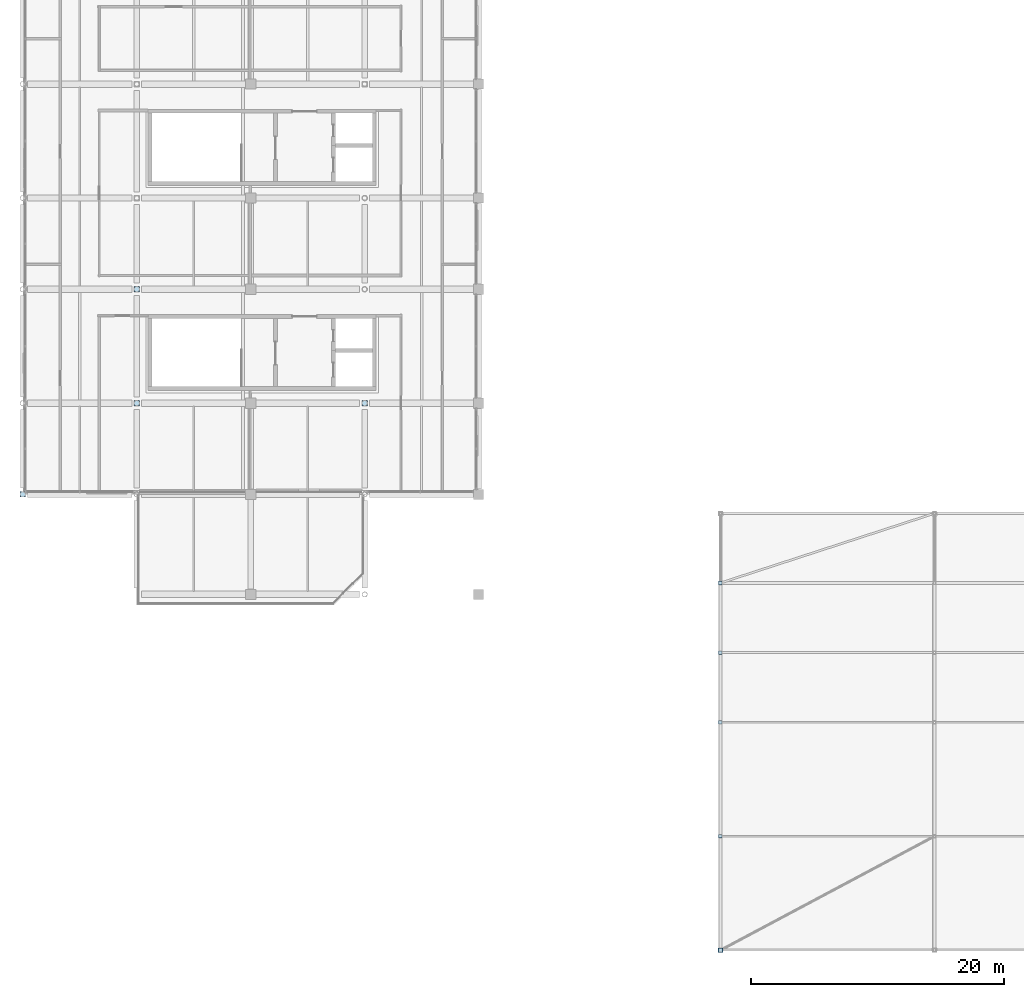
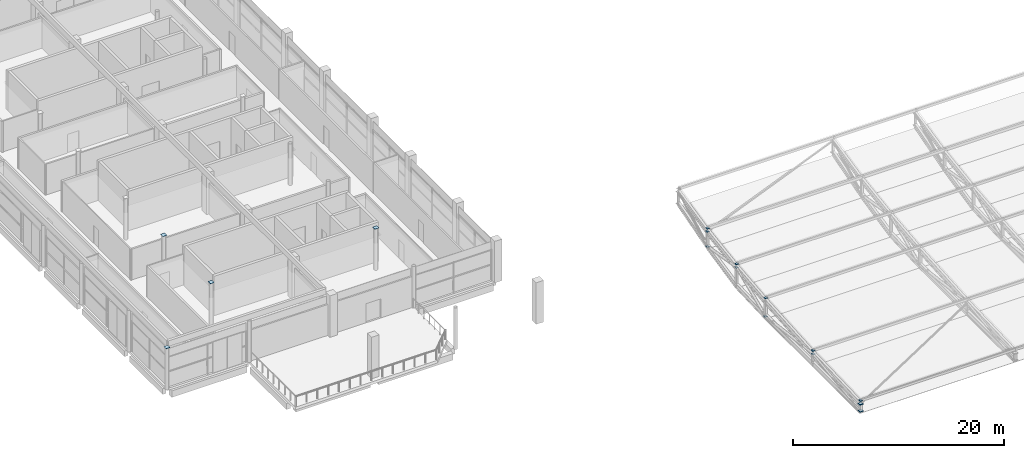
# One storey, part 92 of 114: 16 plates.
"""IFC4 building model written with IfcOpenShell, lengths in metres."""

import ifcopenshell
import ifcopenshell.guid

model = None  # the IFC model being written
_history = None  # IfcOwnerHistory: only IFC2X3 demands one
_inside = {}  # id of a spatial element -> (the spatial element, [elements in it])
_under = {}  # id of a project, library or spatial element -> (it, [spatial elements below it])
_declared = {}  # id of a project -> (the project, [libraries it declares])
_typed = {}  # id of a type object -> (the type object, [elements of that type])
_made_of = {}  # id of a material, layer set ... -> (it, [elements and type objects made of it])


def new_model(schema):
    """Start an empty IFC model of exactly this schema.

    Asked for "IFC4X3", IfcOpenShell would pick the latest addendum, in which some entities
    have other attributes; the version numbers below select the first issue.
    IFC2X3 requires an IfcOwnerHistory on every rooted entity: one is made here for all.
    """
    global model, _history
    if schema == "IFC4X3":
        model = ifcopenshell.file(schema_version=(4, 3, 0, 0))
    else:
        model = ifcopenshell.file(schema=schema)
    _inside.clear()
    _under.clear()
    _declared.clear()
    _typed.clear()
    _made_of.clear()
    _history = None
    if model.schema == "IFC2X3":
        org = make("IfcOrganization", Name="unknown")
        user = make(
            "IfcPersonAndOrganization",
            ThePerson=make("IfcPerson", FamilyName="unknown"),
            TheOrganization=org,
        )
        app = make(
            "IfcApplication",
            ApplicationDeveloper=org,
            Version="unknown",
            ApplicationFullName="unknown",
            ApplicationIdentifier="unknown",
        )
        _history = make(
            "IfcOwnerHistory",
            OwningUser=user,
            OwningApplication=app,
            ChangeAction="ADDED",
            CreationDate=0,
        )
    return model


def make(cls, **values):
    """One entity of the class cls with the attributes given. An attribute that is None is left unset."""
    return model.create_entity(
        cls, **{name: value for name, value in values.items() if value is not None}
    )


def rooted(cls, **values):
    """An entity with a GlobalId (a new one), such as an element, a storey or a relation."""
    return make(cls, GlobalId=ifcopenshell.guid.new(), OwnerHistory=_history, **values)


def si_unit(unit_type, name, prefix=None):
    """IfcSIUnit, for example si_unit("LENGTHUNIT", "METRE", prefix="MILLI")."""
    return make("IfcSIUnit", UnitType=unit_type, Prefix=prefix, Name=name)


def assignment(units):
    """IfcUnitAssignment: the units of a project."""
    return None if units is None else make("IfcUnitAssignment", Units=units)


def point(xyz):
    """IfcCartesianPoint."""
    return None if xyz is None else make("IfcCartesianPoint", Coordinates=xyz)


def direction(xyz):
    """IfcDirection."""
    return None if xyz is None else make("IfcDirection", DirectionRatios=xyz)


def frame(location, z_axis=None, x_axis=None):
    """IfcAxis2Placement3D, a coordinate frame: its origin and axes. An axis left out is left unset."""
    return make(
        "IfcAxis2Placement3D",
        Location=point(location),
        Axis=direction(z_axis),
        RefDirection=direction(x_axis),
    )


def frame_2d(location, x_axis=None):
    """IfcAxis2Placement2D, a coordinate frame in the plane: its origin and x axis."""
    return make(
        "IfcAxis2Placement2D", Location=point(location), RefDirection=direction(x_axis)
    )


def origin():
    """The frame at (0, 0, 0) with its axes left unset."""
    return frame((0.0, 0.0, 0.0))


def origin_2d():
    """The frame at (0, 0) in the plane with its x axis left unset."""
    return frame_2d((0.0, 0.0))


def place(relative_to, where):
    """IfcLocalPlacement: puts the frame where relative to a parent placement (None: the world)."""
    return make(
        "IfcLocalPlacement", PlacementRelTo=relative_to, RelativePlacement=where
    )


def context(
    kind, dimensions, precision=None, world=None, true_north=None, identifier=None
):
    """IfcGeometricRepresentationContext, for example the 3D "Model" context."""
    return make(
        "IfcGeometricRepresentationContext",
        ContextIdentifier=identifier,
        ContextType=kind,
        CoordinateSpaceDimension=dimensions,
        Precision=precision,
        WorldCoordinateSystem=world,
        TrueNorth=true_north,
    )


def subcontext(parent, identifier, kind, view, scale=None):
    """IfcGeometricRepresentationSubContext, for example "Body" below "Model"."""
    return make(
        "IfcGeometricRepresentationSubContext",
        ContextIdentifier=identifier,
        ContextType=kind,
        ParentContext=parent,
        TargetScale=scale,
        TargetView=view,
    )


def project(units=None, contexts=None):
    """IfcProject with its units and contexts."""
    return rooted(
        "IfcProject",
        Name="project",
        RepresentationContexts=contexts,
        UnitsInContext=assignment(units),
    )


def spatial(cls, under=None, at=None, **own):
    """A site, building, storey or space (cls), placed at a placement, below another one or the project."""
    s = rooted(cls, ObjectPlacement=at, **own)
    if under is not None:
        _under.setdefault(under.id(), (under, []))[1].append(s)
    return s


def profile(cls, at=None, kind="AREA", **sizes):
    """A parametric profile (cls). Its sizes go by their IFC names, for example OverallWidth=200.0."""
    return make(cls, ProfileType=kind, Position=at, **sizes)


def rectangle(**sizes):
    """IfcRectangleProfileDef."""
    return profile("IfcRectangleProfileDef", **sizes)


def extrude(swept, where, along, depth):
    """IfcExtrudedAreaSolid: the profile swept, set in the frame where, extruded along a direction by depth."""
    return make(
        "IfcExtrudedAreaSolid",
        SweptArea=swept,
        Position=where,
        ExtrudedDirection=direction(along),
        Depth=depth,
    )


def shape(context_of_items, identifier, shape_type, items):
    """IfcShapeRepresentation: the items that make up one representation, for example the "Body"."""
    return make(
        "IfcShapeRepresentation",
        ContextOfItems=context_of_items,
        RepresentationIdentifier=identifier,
        RepresentationType=shape_type,
        Items=items,
    )


def material(Name=None, Category=None):
    """IfcMaterial."""
    return make("IfcMaterial", Name=Name, Category=Category)


def layer(
    of_material, thickness, ventilated=None, Name=None, Category=None, Priority=None
):
    """IfcMaterialLayer: one layer of a wall or slab, of a material (None: an air gap)."""
    return make(
        "IfcMaterialLayer",
        Material=of_material,
        LayerThickness=thickness,
        IsVentilated=ventilated,
        Name=Name,
        Category=Category,
        Priority=Priority,
    )


def layer_set(layers, Name=None):
    """IfcMaterialLayerSet."""
    return make("IfcMaterialLayerSet", MaterialLayers=layers, LayerSetName=Name)


def made_of(thing, what):
    """Note that an element or type object is made of a material, layer set ...; save() writes the relation."""
    if what is not None:
        _made_of.setdefault(what.id(), (what, []))[1].append(thing)
    return thing


def type_object(cls, material=None, **own):
    """A type object (cls), such as IfcWallType, which elements share."""
    return made_of(rooted(cls, **own), material)


def element(
    cls,
    number,
    at=None,
    inside=None,
    cuts=None,
    type_object=None,
    material=None,
    context=None,
    identifier="Body",
    shape_type=None,
    held_by="IfcProductDefinitionShape",
    body=None,
    shapes=None,
    **own,
):
    """One element of the class cls, such as IfcWall. Its Tag is "e" and its number.

    at: its placement. inside: the storey or other place that contains it. cuts: it is an
    opening in that element (IfcRelVoidsElement). A single representation is given by context,
    identifier, shape_type and body (its items); several are given by shapes. held_by: the class
    of the entity that holds the representations. save() writes the other relations.
    """
    e = rooted(cls, Tag="e%d" % number, ObjectPlacement=at, **own)
    if body is not None:
        shapes = [shape(context, identifier, shape_type, body)]
    if shapes is not None:
        e.Representation = make(held_by, Representations=shapes)
    if inside is not None:
        _inside.setdefault(inside.id(), (inside, []))[1].append(e)
    if cuts is not None:
        rooted(
            "IfcRelVoidsElement", RelatingBuildingElement=cuts, RelatedOpeningElement=e
        )
    if type_object is not None:
        _typed.setdefault(type_object.id(), (type_object, []))[1].append(e)
    return made_of(e, material)


def aggregate(whole, parts):
    """IfcRelAggregates: a whole, such as a stair, and the parts it consists of."""
    return rooted("IfcRelAggregates", RelatingObject=whole, RelatedObjects=parts)


def save(model, path):
    """Write the relations noted so far, then the file.

    IfcRelAggregates (storeys below a building ...), IfcRelContainedInSpatialStructure (elements
    in a storey), IfcRelDefinesByType, IfcRelAssociatesMaterial and IfcRelDeclares: one each for
    every whole, place, type object, material and project.
    """
    for whole, parts in _under.values():
        aggregate(whole, parts)
    for where, things in _inside.values():
        rooted(
            "IfcRelContainedInSpatialStructure",
            RelatedElements=things,
            RelatingStructure=where,
        )
    for kind, things in _typed.values():
        rooted("IfcRelDefinesByType", RelatedObjects=things, RelatingType=kind)
    for what, things in _made_of.values():
        rooted("IfcRelAssociatesMaterial", RelatedObjects=things, RelatingMaterial=what)
    for by, libraries in _declared.values():
        rooted("IfcRelDeclares", RelatingContext=by, RelatedDefinitions=libraries)
    model.write(path)


model = new_model("IFC4")

# Units and contexts
model_context = context("Model", 3, precision=1e-05, world=origin(), true_north=direction((0.0, 1.0)))
body_context = subcontext(model_context, "Body", "Model", "MODEL_VIEW")
ifc_project = project(units=[si_unit("LENGTHUNIT", "METRE"), si_unit("AREAUNIT", "SQUARE_METRE"), si_unit("VOLUMEUNIT", "CUBIC_METRE"), si_unit("PLANEANGLEUNIT", "RADIAN"), si_unit("MASSUNIT", "GRAM", prefix="KILO"), si_unit("THERMODYNAMICTEMPERATUREUNIT", "KELVIN"), si_unit("POWERUNIT", "WATT")], contexts=[model_context])

# Site, building, storey
site_placement = place(None, origin())
site = spatial("IfcSite", under=ifc_project, at=site_placement, CompositionType="ELEMENT")
building_placement = place(site_placement, origin())
building = spatial("IfcBuilding", under=site, at=building_placement, Name="Sindhuravela Promenade Stadium", CompositionType="ELEMENT")
storey_placement = place(building_placement, frame((0.0, 0.0, 24.0)))
storey = spatial("IfcBuildingStorey", under=building, at=storey_placement, Name="L05", CompositionType="ELEMENT", Elevation=24.0)

# Plates
ifc_material = material(Name="Steel E350 (IS 2062 E350BR)", Category="steel")
ifc_layer_1 = layer(ifc_material, 0.02392578125)
ifc_layer_set_1 = layer_set([ifc_layer_1], Name="Steel E350 (IS 2062 E350BR)")
plate_type_1 = type_object("IfcPlateType", Name="ST-PL-CAP24", PredefinedType="USERDEFINED", material=ifc_layer_set_1)
for number, where, z_axis, x_axis, name in (
    (1, (0.0, 45.0, 4.800048828125), (0.0, 0.0, 1.0), (1.0, 0.0, 0.0), "Hollow column top cap plate CP01 W-01"),
    (2, (9.0, 52.199951171875, 4.800048828125), (0.0, 0.0, 1.0), (1.0, 0.0, 0.0), "Hollow column top cap plate CP01 W-03"),
    (3, (9.0, 61.199951171875, 4.800048828125), (0.0, 0.0, 1.0), (1.0, 0.0, 0.0), "Hollow column top cap plate CP01 W-04"),
    (4, (27.0, 52.199951171875, 4.800048828125), (0.0, 0.0, 1.0), (1.0, 0.0, 0.0), "Hollow column top cap plate CP01 W-11"),
):
    element("IfcPlate", number, at=place(storey_placement, frame(where, z_axis=z_axis, x_axis=x_axis)), inside=storey, type_object=plate_type_1, Name=name, ObjectType="GUSSET PLATE", PredefinedType="USERDEFINED", context=body_context, shape_type="SweptSolid", body=[
        extrude(rectangle(XDim=0.43994140625, YDim=0.43994140625, at=origin_2d()), origin(), (0.0, 0.0, 1.0), 0.02392578125),
    ])
for number, where, z_axis, x_axis, name in (
    (5, (55.10009765625, 9.0, 1.179931640625), (0.0, 0.0, 1.0), (1.0, 0.0, 0.0), "Purlin end cap plate CP01 S-37"),
    (6, (55.10009765625, 18.0, 1.507080078125), (0.0, 0.0, 1.0), (1.0, 0.0, 0.0), "Purlin end cap plate CP01 S-38"),
    (7, (55.10009765625, 27.0, 2.143310546875), (0.0, 0.0, 1.0), (1.0, 0.0, 0.0), "Purlin end cap plate CP01 S-39"),
    (8, (55.10009765625, 32.5, 2.732421875), (0.0, 0.0, 1.0), (1.0, 0.0, 0.0), "Purlin end cap plate CP01 S-40"),
    (9, (55.10009765625, 38.0, 3.524169921875), (0.0, 0.0, 1.0), (1.0, 0.0, 0.0), "Purlin end cap plate CP01 S-41"),
    (10, (55.10009765625, 38.0, 3.1572265625), (0.0, 0.0, 1.0), (1.0, 0.0, 0.0), "Brace end cap plate CP01 S-44"),
):
    element("IfcPlate", number, at=place(storey_placement, frame(where, z_axis=z_axis, x_axis=x_axis)), inside=storey, type_object=plate_type_1, Name=name, ObjectType="GUSSET PLATE", PredefinedType="USERDEFINED", context=body_context, shape_type="SweptSolid", body=[
        extrude(rectangle(XDim=0.280029296875, YDim=0.280029296875, at=origin_2d()), origin(), (0.0, 0.0, 1.0), 0.02392578125),
    ])
for number, where, z_axis, x_axis, name in (
    (11, (55.10009765625, 18.0, 1.115234375), (0.0, 0.0, 1.0), (1.0, 0.0, 0.0), "Brace end gusset plate CP01 BR-0127B"),
    (12, (55.10009765625, 27.0, -0.011962890625), (0.0, 0.0, 1.0), (1.0, 0.0, 0.0), "Brace end gusset plate CP01 BR-0128B"),
    (13, (55.10009765625, 32.5, 2.340576171875), (0.0, 0.0, 1.0), (1.0, 0.0, 0.0), "Brace end gusset plate CP01 BR-0129B"),
    (14, (55.10009765625, 38.0, 1.4072265625), (0.0, 0.0, 1.0), (1.0, 0.0, 0.0), "Brace end gusset plate CP01 BR-0130B"),
):
    element("IfcPlate", number, at=place(storey_placement, frame(where, z_axis=z_axis, x_axis=x_axis)), inside=storey, type_object=plate_type_1, Name=name, ObjectType="GUSSET PLATE", PredefinedType="USERDEFINED", context=body_context, shape_type="SweptSolid", body=[
        extrude(rectangle(XDim=0.260009765625, YDim=0.260009765625, at=origin_2d()), origin(), (0.0, 0.0, 1.0), 0.02392578125),
    ])
ifc_layer_2 = layer(ifc_material, 0.033935546875)
ifc_layer_set_2 = layer_set([ifc_layer_2], Name="Steel E350 (IS 2062 E350BR)")
plate_type_2 = type_object("IfcPlateType", Name="ST-PL-CAP34", PredefinedType="USERDEFINED", material=ifc_layer_set_2)
for number, where, z_axis, x_axis, name in (
    (15, (55.10009765625, 9.0, 0.783203125), (0.0, 0.0, 1.0), (1.0, 0.0, 0.0), "Truss end gusset cap plate CP02 S01-1T"),
    (16, (55.10009765625, 9.0, -0.01708984375), (0.0, 0.0, 1.0), (1.0, 0.0, 0.0), "Truss end gusset cap plate CP02 S01-1B"),
):
    element("IfcPlate", number, at=place(storey_placement, frame(where, z_axis=z_axis, x_axis=x_axis)), inside=storey, type_object=plate_type_2, Name=name, ObjectType="GUSSET PLATE", PredefinedType="USERDEFINED", context=body_context, shape_type="SweptSolid", body=[
        extrude(rectangle(XDim=0.3798828125, YDim=0.3798828125, at=origin_2d()), origin(), (0.0, 0.0, 1.0), 0.033935546875),
    ])

save(model, "model.ifc")
